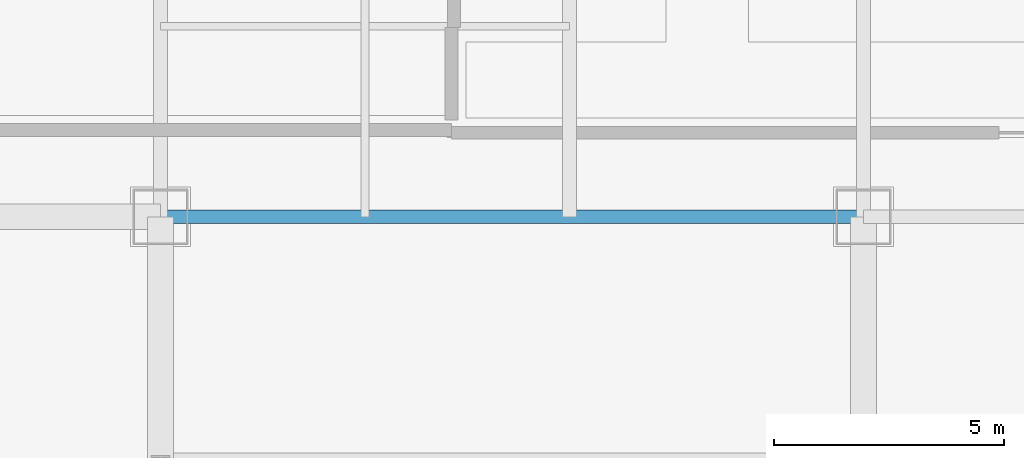
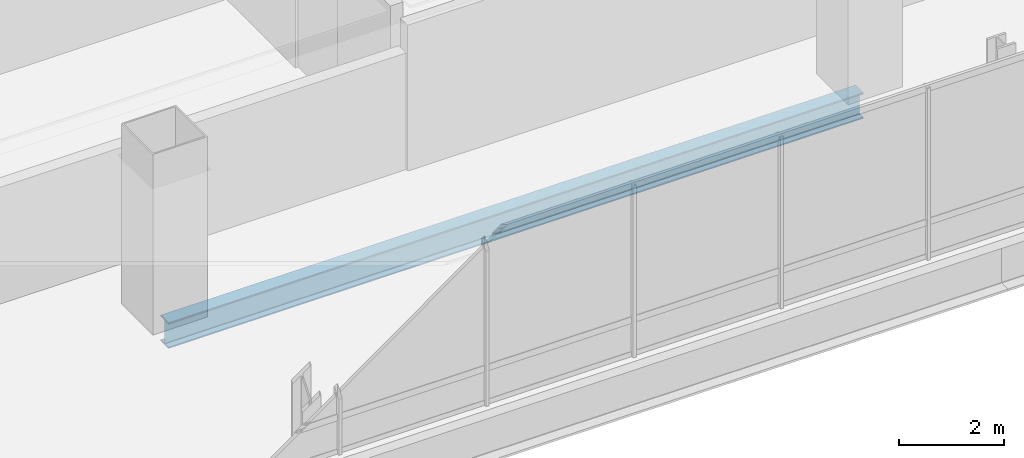
# One storey, part 4 of 42: 1 beam.
"""IFC4 building model written with IfcOpenShell, lengths in metres."""

from ifc_helpers import new_model, si_unit, direction, frame, origin, origin_2d, place, context, subcontext, project, spatial, i_section, extrude, material, material_profile, profile_set, type_object, element, save


model = new_model("IFC4")

# Units and contexts
model_context = context("Model", 3, precision=1e-05, world=origin(), true_north=direction((0.0, 1.0)))
body_context = subcontext(model_context, "Body", "Model", "MODEL_VIEW")
ifc_project = project(units=[si_unit("LENGTHUNIT", "METRE"), si_unit("AREAUNIT", "SQUARE_METRE"), si_unit("VOLUMEUNIT", "CUBIC_METRE"), si_unit("PLANEANGLEUNIT", "RADIAN"), si_unit("MASSUNIT", "GRAM", prefix="KILO")], contexts=[model_context])

# Site, building, storey
site_placement = place(None, origin())
site = spatial("IfcSite", under=ifc_project, at=site_placement, CompositionType="ELEMENT")
building_placement = place(site_placement, origin())
building = spatial("IfcBuilding", under=site, at=building_placement, Name="Punatoya Terracotta Tower", CompositionType="ELEMENT")
storey_placement = place(building_placement, frame((0.0, 0.0, 325.800048828125)))
storey = spatial("IfcBuildingStorey", under=building, at=storey_placement, Name="L77", CompositionType="ELEMENT", Elevation=325.800048828125)

# Beam
ifc_material = material(Name="Steel S355", Category="steel")
ifc_material_profile = material_profile(ifc_material, i_section(OverallWidth=0.300048828125, OverallDepth=0.60009765625, WebThickness=0.015380859375, FlangeThickness=0.030029296875, FilletRadius=0.01806640625, at=origin_2d()))
ifc_profile_set = profile_set([ifc_material_profile], Name="Steel S355")
beam_type = type_object("IfcBeamType", Name="BM-PRI-600", PredefinedType="BEAM", material=ifc_profile_set)
beam_placement = place(storey_placement, frame((-19.10009765625, -17.5, -0.5), z_axis=(1.0, 0.0, 0.0), x_axis=(0.0, 1.0, 0.0)))
element("IfcBeam", 1, at=beam_placement, inside=storey, type_object=beam_type, Name="BM-L77-RG-S1", PredefinedType="BEAM", context=body_context, shape_type="SweptSolid", body=[
    extrude(i_section(OverallWidth=0.300048828125, OverallDepth=0.60009765625, WebThickness=0.015380859375, FlangeThickness=0.030029296875, FilletRadius=0.01806640625, at=origin_2d()), origin(), (0.0, 0.0, 1.0), 15.300048828125),
])

save(model, "model.ifc")
